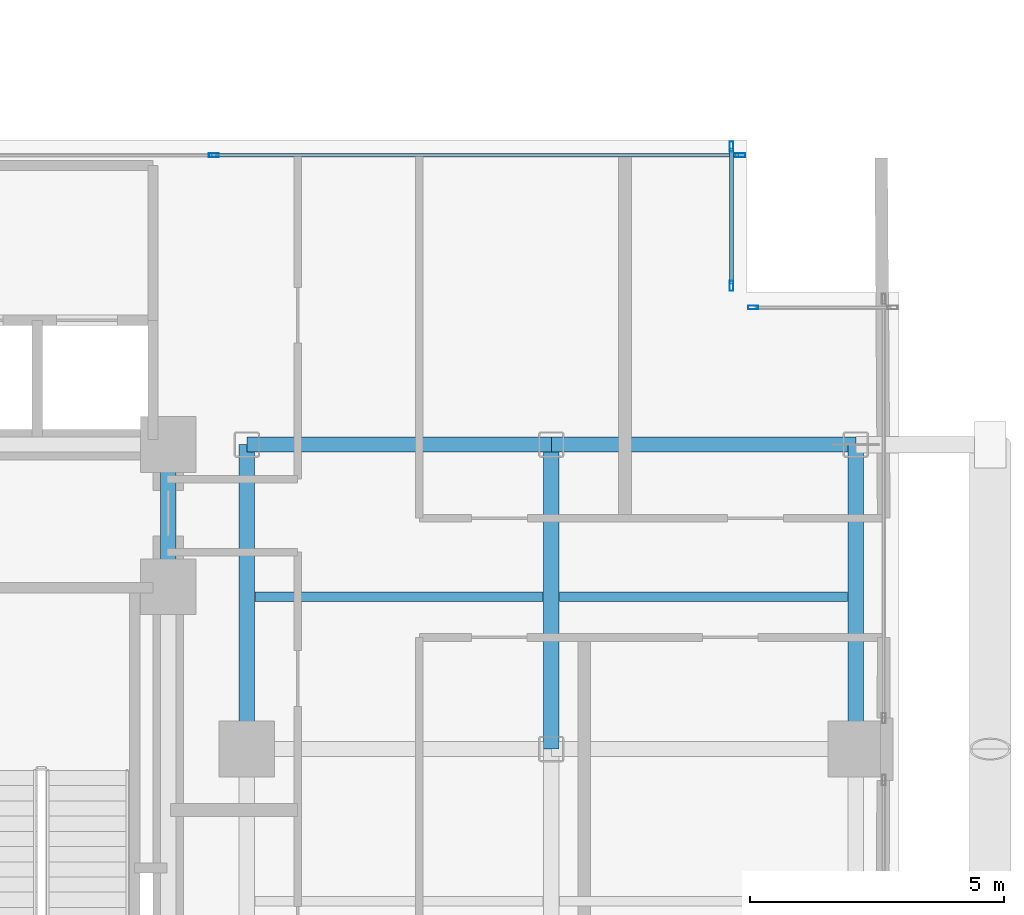
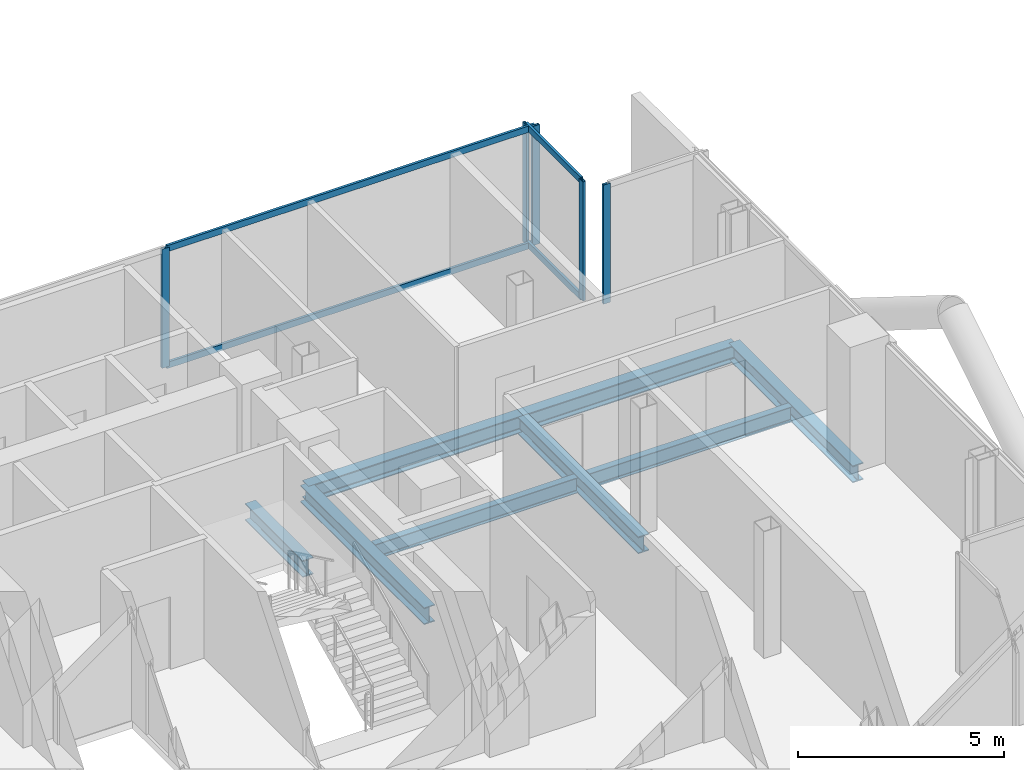
# One storey, part 13 of 28: 9 members, 8 beams, 3 elements without a shape of their own.
"""IFC4 building model written with IfcOpenShell, lengths in metres."""

from ifc_helpers import new_model, si_unit, direction, frame, origin, origin_2d, place, context, subcontext, project, spatial, hollow_rectangle, i_section, extrude, material, layer, layer_set, material_profile, profile_set, type_object, element, aggregate, save


model = new_model("IFC4")

# Units and contexts
model_context = context("Model", 3, precision=1e-05, world=origin(), true_north=direction((0.0, 1.0)))
body_context = subcontext(model_context, "Body", "Model", "MODEL_VIEW")
ifc_project = project(units=[si_unit("LENGTHUNIT", "METRE"), si_unit("AREAUNIT", "SQUARE_METRE"), si_unit("VOLUMEUNIT", "CUBIC_METRE"), si_unit("PLANEANGLEUNIT", "RADIAN"), si_unit("MASSUNIT", "GRAM", prefix="KILO"), si_unit("THERMODYNAMICTEMPERATUREUNIT", "KELVIN"), si_unit("POWERUNIT", "WATT")], contexts=[model_context])

# Site, building, storey
site_placement = place(None, origin())
site = spatial("IfcSite", under=ifc_project, at=site_placement, CompositionType="ELEMENT")
building_placement = place(site_placement, origin())
building = spatial("IfcBuilding", under=site, at=building_placement, Name="Svarakhadi Broadcast Tower", CompositionType="ELEMENT")
storey_placement = place(building_placement, frame((0.0, 0.0, 134.39990234375)))
storey = spatial("IfcBuildingStorey", under=building, at=storey_placement, Name="L32", CompositionType="ELEMENT", Elevation=134.39990234375)

# Beams
ifc_material_1 = material(Name="Steel S355J2 (IS 2062 E350C)", Category="steel")
ifc_material_profile_1 = material_profile(ifc_material_1, i_section(OverallWidth=0.18994140625, OverallDepth=0.449951171875, WebThickness=0.009521484375, FlangeThickness=0.0146484375, FilletRadius=0.02099609375, at=origin_2d()), Name="NPB 450x190x78")
ifc_profile_set_1 = profile_set([ifc_material_profile_1], Name="Steel S355J2 (IS 2062 E350C)")
beam_type_1 = type_object("IfcBeamType", Name="Beam_NPB450", PredefinedType="BEAM", material=ifc_profile_set_1)
for number, where, z_axis, x_axis, name in (
    (1, (35.31005859375, 15.0, -0.449951171875), (1.0, 0.0, 0.0), (0.0, 1.0, 0.0), "L32 Secondary Composite Beam SB021"),
    (2, (41.31005859375, 15.0, -0.449951171875), (1.0, 0.0, 0.0), (0.0, 1.0, 0.0), "L32 Secondary Composite Beam SB023"),
):
    element("IfcBeam", number, at=place(storey_placement, frame(where, z_axis=z_axis, x_axis=x_axis)), inside=storey, type_object=beam_type_1, Name=name, PredefinedType="BEAM", context=body_context, shape_type="SweptSolid", body=[
        extrude(i_section(OverallWidth=0.18994140625, OverallDepth=0.449951171875, WebThickness=0.009521484375, FlangeThickness=0.0146484375, FilletRadius=0.02099609375, at=origin_2d()), origin(), (0.0, 0.0, 1.0), 5.679931640625),
    ])

# Curtain wall, members
ifc_material_2 = material(Name="Anodised Bronze Aluminium AA 6063-T6", Category="aluminium")
ifc_layer = layer(ifc_material_2, 0.199951171875)
ifc_layer_set = layer_set([ifc_layer], Name="Anodised Bronze Aluminium AA 6063-T6")
curtain_wall_type = type_object("IfcCurtainWallType", Name="CW_Sys_03", PredefinedType="NOTDEFINED", material=ifc_layer_set)
curtain_wall_1_placement = place(storey_placement, origin())
curtain_wall_1 = element("IfcCurtainWall", 3, at=curtain_wall_1_placement, inside=storey, type_object=curtain_wall_type, Name="L32 Unitised Facade Curtain Wall 10", PredefinedType="NOTDEFINED")
ifc_material_profile_2 = material_profile(ifc_material_2, hollow_rectangle(XDim=0.074951171875, YDim=0.199951171875, WallThickness=0.005615234375, at=origin_2d()), Name="ALU MULLION 200x75x6")
ifc_profile_set_2 = profile_set([ifc_material_profile_2], Name="Anodised Bronze Aluminium AA 6063-T6")
member_type_1 = type_object("IfcMemberType", Name="CW_Sys_03_Mul", PredefinedType="MULLION", material=ifc_profile_set_2)
member_1_placement = place(storey_placement, frame((34.5, 23.699951171875, 0.0), z_axis=(0.0, 0.0, 1.0), x_axis=(0.0, 1.0, 0.0)))
member_1 = element("IfcMember", 4, at=member_1_placement, type_object=member_type_1, Name="CW-03 mullion 2", PredefinedType="MULLION", context=body_context, shape_type="SweptSolid", body=[
    extrude(hollow_rectangle(XDim=0.074951171875, YDim=0.199951171875, WallThickness=0.005615234375, at=origin_2d()), origin(), (0.0, 0.0, 1.0), 3.525146484375),
])
member_2_placement = place(storey_placement, frame((44.87255859375, 23.699951171875, 0.0), z_axis=(0.0, 0.0, 1.0), x_axis=(0.0, 1.0, 0.0)))
member_2 = element("IfcMember", 5, at=member_2_placement, type_object=member_type_1, Name="CW-03 mullion 3", PredefinedType="MULLION", context=body_context, shape_type="SweptSolid", body=[
    extrude(hollow_rectangle(XDim=0.074951171875, YDim=0.199951171875, WallThickness=0.005615234375, at=origin_2d()), origin(), (0.0, 0.0, 1.0), 3.525146484375),
])

curtain_wall_2_placement = place(storey_placement, origin())
curtain_wall_2 = element("IfcCurtainWall", 6, at=curtain_wall_2_placement, inside=storey, type_object=curtain_wall_type, Name="L32 Unitised Facade Curtain Wall 11", PredefinedType="NOTDEFINED")
member_3_placement = place(storey_placement, frame((44.699951171875, 23.87255859375, 0.0), z_axis=(0.0, 0.0, 1.0), x_axis=(1.0, 0.0, 0.0)))
member_3 = element("IfcMember", 7, at=member_3_placement, type_object=member_type_1, Name="CW-03 mullion 1", PredefinedType="MULLION", context=body_context, shape_type="SweptSolid", body=[
    extrude(hollow_rectangle(XDim=0.074951171875, YDim=0.199951171875, WallThickness=0.005615234375, at=origin_2d()), origin(), (0.0, 0.0, 1.0), 3.525146484375),
])
member_4_placement = place(storey_placement, frame((44.699951171875, 21.12744140625, 0.0), z_axis=(0.0, 0.0, 1.0), x_axis=(1.0, 0.0, 0.0)))
member_4 = element("IfcMember", 8, at=member_4_placement, type_object=member_type_1, Name="CW-03 mullion 2", PredefinedType="MULLION", context=body_context, shape_type="SweptSolid", body=[
    extrude(hollow_rectangle(XDim=0.074951171875, YDim=0.199951171875, WallThickness=0.005615234375, at=origin_2d()), origin(), (0.0, 0.0, 1.0), 3.525146484375),
])

# Curtain wall, member
curtain_wall_3_placement = place(storey_placement, origin())
curtain_wall_3 = element("IfcCurtainWall", 9, at=curtain_wall_3_placement, inside=storey, type_object=curtain_wall_type, Name="L32 Unitised Facade Curtain Wall 12", PredefinedType="NOTDEFINED")
member_5_placement = place(storey_placement, frame((45.12744140625, 20.699951171875, 0.0), z_axis=(0.0, 0.0, 1.0), x_axis=(0.0, 1.0, 0.0)))
member_5 = element("IfcMember", 10, at=member_5_placement, type_object=member_type_1, Name="CW-03 mullion 1", PredefinedType="MULLION", context=body_context, shape_type="SweptSolid", body=[
    extrude(hollow_rectangle(XDim=0.074951171875, YDim=0.199951171875, WallThickness=0.005615234375, at=origin_2d()), origin(), (0.0, 0.0, 1.0), 3.525146484375),
])
aggregate(curtain_wall_3, [member_5])

# Member
ifc_material_profile_3 = material_profile(ifc_material_2, hollow_rectangle(XDim=0.070068359375, YDim=0.18505859375, WallThickness=0.0048828125, at=origin_2d()), Name="ALU TRANSOM 185x70x5")
ifc_profile_set_3 = profile_set([ifc_material_profile_3], Name="Anodised Bronze Aluminium AA 6063-T6")
member_type_2 = type_object("IfcMemberType", Name="CW_Sys_03_Trn", PredefinedType="USERDEFINED", material=ifc_profile_set_3)
member_6_placement = place(storey_placement, frame((34.53759765625, 23.699951171875, 0.03515625), z_axis=(1.0, 0.0, 0.0), x_axis=(0.0, 1.0, 0.0)))
member_6 = element("IfcMember", 11, at=member_6_placement, type_object=member_type_2, Name="CW-03 transom 2.1", ObjectType="TRANSOM", PredefinedType="USERDEFINED", context=body_context, shape_type="SweptSolid", body=[
    extrude(hollow_rectangle(XDim=0.070068359375, YDim=0.18505859375, WallThickness=0.0048828125, at=origin_2d()), origin(), (0.0, 0.0, 1.0), 10.29736328125),
])

member_7_placement = place(storey_placement, frame((34.53759765625, 23.699951171875, 3.489990234375), z_axis=(1.0, 0.0, 0.0), x_axis=(0.0, 1.0, 0.0)))
member_7 = element("IfcMember", 12, at=member_7_placement, type_object=member_type_2, Name="CW-03 transom 2.2", ObjectType="TRANSOM", PredefinedType="USERDEFINED", context=body_context, shape_type="SweptSolid", body=[
    extrude(hollow_rectangle(XDim=0.070068359375, YDim=0.18505859375, WallThickness=0.0048828125, at=origin_2d()), origin(), (0.0, 0.0, 1.0), 10.29736328125),
])

aggregate(curtain_wall_1, [member_1, member_2, member_6, member_7])

member_8_placement = place(storey_placement, frame((44.699951171875, 23.8349609375, 0.03515625), z_axis=(0.0, -1.0, 0.0), x_axis=(1.0, 0.0, 0.0)))
member_8 = element("IfcMember", 13, at=member_8_placement, type_object=member_type_2, Name="CW-03 transom 1.1", ObjectType="TRANSOM", PredefinedType="USERDEFINED", context=body_context, shape_type="SweptSolid", body=[
    extrude(hollow_rectangle(XDim=0.070068359375, YDim=0.18505859375, WallThickness=0.0048828125, at=origin_2d()), origin(), (0.0, 0.0, 1.0), 2.669921875),
])

member_9_placement = place(storey_placement, frame((44.699951171875, 23.8349609375, 3.489990234375), z_axis=(0.0, -1.0, 0.0), x_axis=(1.0, 0.0, 0.0)))
member_9 = element("IfcMember", 14, at=member_9_placement, type_object=member_type_2, Name="CW-03 transom 1.2", ObjectType="TRANSOM", PredefinedType="USERDEFINED", context=body_context, shape_type="SweptSolid", body=[
    extrude(hollow_rectangle(XDim=0.070068359375, YDim=0.18505859375, WallThickness=0.0048828125, at=origin_2d()), origin(), (0.0, 0.0, 1.0), 2.669921875),
])

aggregate(curtain_wall_2, [member_3, member_4, member_8, member_9])

# Beams
ifc_material_profile_4 = material_profile(ifc_material_1, i_section(OverallWidth=0.300048828125, OverallDepth=0.5, WebThickness=0.014404296875, FlangeThickness=0.028076171875, FilletRadius=0.027099609375, at=origin_2d()), Name="WPB 500x300x187")
ifc_profile_set_4 = profile_set([ifc_material_profile_4], Name="Steel S355J2 (IS 2062 E350C)")
beam_type_2 = type_object("IfcBeamType", Name="Girder_WPB500", PredefinedType="USERDEFINED", material=ifc_profile_set_4)
for number, where, z_axis, x_axis, name in (
    (15, (35.14990234375, 18.0, -0.474853515625), (1.0, 0.0, 0.0), (0.0, 1.0, 0.0), "L32 Primary E-W Girder G028"),
    (16, (41.14990234375, 18.0, -0.474853515625), (1.0, 0.0, 0.0), (0.0, 1.0, 0.0), "L32 Primary E-W Girder G029"),
):
    element("IfcBeam", number, at=place(storey_placement, frame(where, z_axis=z_axis, x_axis=x_axis)), inside=storey, type_object=beam_type_2, Name=name, ObjectType="GIRDER", PredefinedType="USERDEFINED", context=body_context, shape_type="SweptSolid", body=[
        extrude(i_section(OverallWidth=0.300048828125, OverallDepth=0.5, WebThickness=0.014404296875, FlangeThickness=0.028076171875, FilletRadius=0.027099609375, at=origin_2d()), origin(), (0.0, 0.0, 1.0), 6.0),
    ])
beam_placement = place(storey_placement, frame((33.60009765625, 15.199951171875, -0.474853515625), z_axis=(0.0, 1.0, 0.0), x_axis=(-1.0, 0.0, 0.0)))
element("IfcBeam", 17, at=beam_placement, inside=storey, type_object=beam_type_2, Name="L32 Primary N-S Girder G066", ObjectType="GIRDER", PredefinedType="USERDEFINED", context=body_context, shape_type="SweptSolid", body=[
    extrude(i_section(OverallWidth=0.300048828125, OverallDepth=0.5, WebThickness=0.014404296875, FlangeThickness=0.028076171875, FilletRadius=0.027099609375, at=origin_2d()), origin(), (0.0, 0.0, 1.0), 2.800048828125),
])
for number, where, z_axis, x_axis, name in (
    (18, (35.14990234375, 12.0, -0.474853515625), (0.0, 1.0, 0.0), (-1.0, 0.0, 0.0), "L32 Primary N-S Girder G069"),
    (19, (41.14990234375, 12.0, -0.474853515625), (0.0, 1.0, 0.0), (-1.0, 0.0, 0.0), "L32 Primary N-S Girder G072"),
    (20, (47.14990234375, 12.0, -0.474853515625), (0.0, 1.0, 0.0), (-1.0, 0.0, 0.0), "L32 Primary N-S Girder G074"),
):
    element("IfcBeam", number, at=place(storey_placement, frame(where, z_axis=z_axis, x_axis=x_axis)), inside=storey, type_object=beam_type_2, Name=name, ObjectType="GIRDER", PredefinedType="USERDEFINED", context=body_context, shape_type="SweptSolid", body=[
        extrude(i_section(OverallWidth=0.300048828125, OverallDepth=0.5, WebThickness=0.014404296875, FlangeThickness=0.028076171875, FilletRadius=0.027099609375, at=origin_2d()), origin(), (0.0, 0.0, 1.0), 6.0),
    ])

save(model, "model.ifc")
